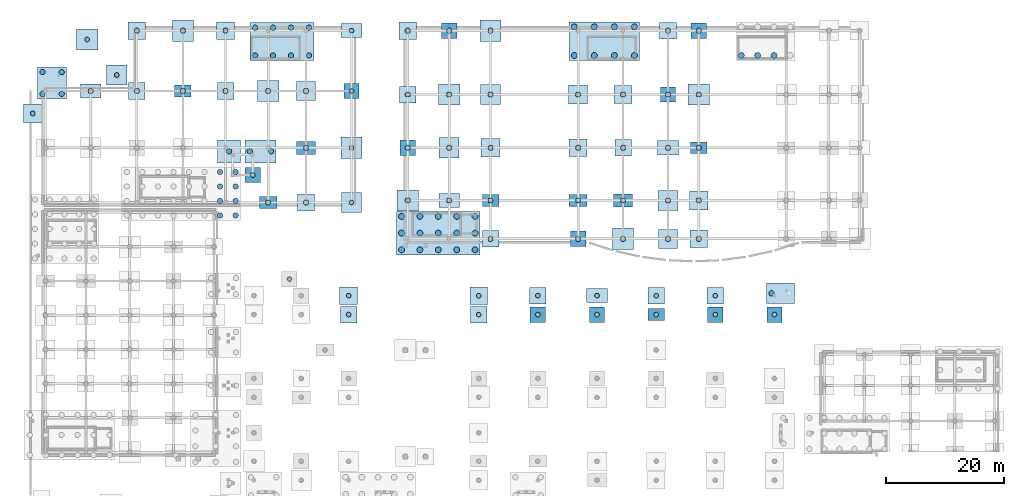
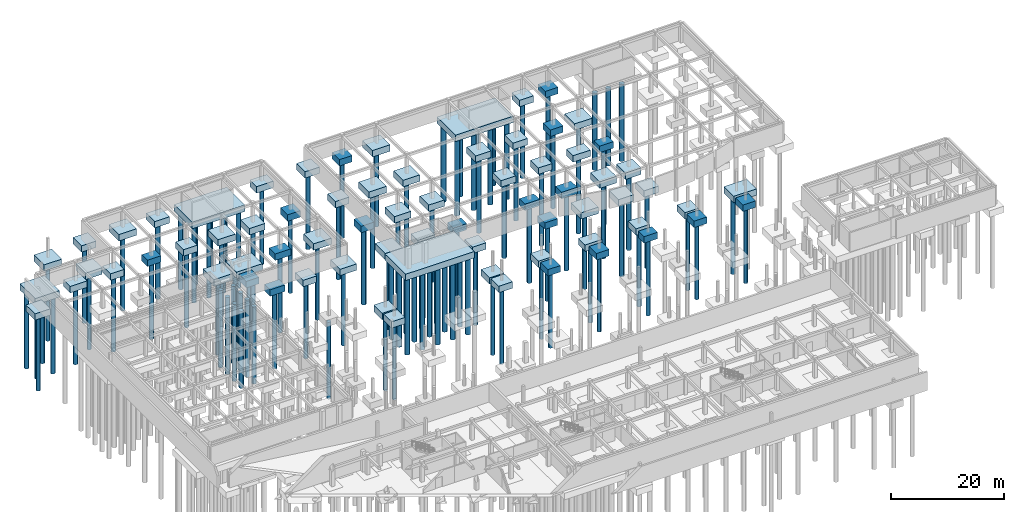
# One storey, part 4 of 22: 115 piles, 71 footings.
"""IFC4 building model written with IfcOpenShell, lengths in metres."""

import ifcopenshell
import ifcopenshell.guid

model = None  # the IFC model being written
_history = None  # IfcOwnerHistory: only IFC2X3 demands one
_inside = {}  # id of a spatial element -> (the spatial element, [elements in it])
_under = {}  # id of a project, library or spatial element -> (it, [spatial elements below it])
_declared = {}  # id of a project -> (the project, [libraries it declares])
_typed = {}  # id of a type object -> (the type object, [elements of that type])
_made_of = {}  # id of a material, layer set ... -> (it, [elements and type objects made of it])


def new_model(schema):
    """Start an empty IFC model of exactly this schema.

    Asked for "IFC4X3", IfcOpenShell would pick the latest addendum, in which some entities
    have other attributes; the version numbers below select the first issue.
    IFC2X3 requires an IfcOwnerHistory on every rooted entity: one is made here for all.
    """
    global model, _history
    if schema == "IFC4X3":
        model = ifcopenshell.file(schema_version=(4, 3, 0, 0))
    else:
        model = ifcopenshell.file(schema=schema)
    _inside.clear()
    _under.clear()
    _declared.clear()
    _typed.clear()
    _made_of.clear()
    _history = None
    if model.schema == "IFC2X3":
        org = make("IfcOrganization", Name="unknown")
        user = make(
            "IfcPersonAndOrganization",
            ThePerson=make("IfcPerson", FamilyName="unknown"),
            TheOrganization=org,
        )
        app = make(
            "IfcApplication",
            ApplicationDeveloper=org,
            Version="unknown",
            ApplicationFullName="unknown",
            ApplicationIdentifier="unknown",
        )
        _history = make(
            "IfcOwnerHistory",
            OwningUser=user,
            OwningApplication=app,
            ChangeAction="ADDED",
            CreationDate=0,
        )
    return model


def make(cls, **values):
    """One entity of the class cls with the attributes given. An attribute that is None is left unset."""
    return model.create_entity(
        cls, **{name: value for name, value in values.items() if value is not None}
    )


def rooted(cls, **values):
    """An entity with a GlobalId (a new one), such as an element, a storey or a relation."""
    return make(cls, GlobalId=ifcopenshell.guid.new(), OwnerHistory=_history, **values)


def si_unit(unit_type, name, prefix=None):
    """IfcSIUnit, for example si_unit("LENGTHUNIT", "METRE", prefix="MILLI")."""
    return make("IfcSIUnit", UnitType=unit_type, Prefix=prefix, Name=name)


def assignment(units):
    """IfcUnitAssignment: the units of a project."""
    return None if units is None else make("IfcUnitAssignment", Units=units)


def point(xyz):
    """IfcCartesianPoint."""
    return None if xyz is None else make("IfcCartesianPoint", Coordinates=xyz)


def direction(xyz):
    """IfcDirection."""
    return None if xyz is None else make("IfcDirection", DirectionRatios=xyz)


def frame(location, z_axis=None, x_axis=None):
    """IfcAxis2Placement3D, a coordinate frame: its origin and axes. An axis left out is left unset."""
    return make(
        "IfcAxis2Placement3D",
        Location=point(location),
        Axis=direction(z_axis),
        RefDirection=direction(x_axis),
    )


def frame_2d(location, x_axis=None):
    """IfcAxis2Placement2D, a coordinate frame in the plane: its origin and x axis."""
    return make(
        "IfcAxis2Placement2D", Location=point(location), RefDirection=direction(x_axis)
    )


def origin():
    """The frame at (0, 0, 0) with its axes left unset."""
    return frame((0.0, 0.0, 0.0))


def origin_2d():
    """The frame at (0, 0) in the plane with its x axis left unset."""
    return frame_2d((0.0, 0.0))


def place(relative_to, where):
    """IfcLocalPlacement: puts the frame where relative to a parent placement (None: the world)."""
    return make(
        "IfcLocalPlacement", PlacementRelTo=relative_to, RelativePlacement=where
    )


def context(
    kind, dimensions, precision=None, world=None, true_north=None, identifier=None
):
    """IfcGeometricRepresentationContext, for example the 3D "Model" context."""
    return make(
        "IfcGeometricRepresentationContext",
        ContextIdentifier=identifier,
        ContextType=kind,
        CoordinateSpaceDimension=dimensions,
        Precision=precision,
        WorldCoordinateSystem=world,
        TrueNorth=true_north,
    )


def subcontext(parent, identifier, kind, view, scale=None):
    """IfcGeometricRepresentationSubContext, for example "Body" below "Model"."""
    return make(
        "IfcGeometricRepresentationSubContext",
        ContextIdentifier=identifier,
        ContextType=kind,
        ParentContext=parent,
        TargetScale=scale,
        TargetView=view,
    )


def project(units=None, contexts=None):
    """IfcProject with its units and contexts."""
    return rooted(
        "IfcProject",
        Name="project",
        RepresentationContexts=contexts,
        UnitsInContext=assignment(units),
    )


def spatial(cls, under=None, at=None, **own):
    """A site, building, storey or space (cls), placed at a placement, below another one or the project."""
    s = rooted(cls, ObjectPlacement=at, **own)
    if under is not None:
        _under.setdefault(under.id(), (under, []))[1].append(s)
    return s


def polyline(points):
    """IfcPolyline through the points."""
    return make("IfcPolyline", Points=[point(p) for p in points])


def profile(cls, at=None, kind="AREA", **sizes):
    """A parametric profile (cls). Its sizes go by their IFC names, for example OverallWidth=200.0."""
    return make(cls, ProfileType=kind, Position=at, **sizes)


def rectangle(**sizes):
    """IfcRectangleProfileDef."""
    return profile("IfcRectangleProfileDef", **sizes)


def circle(**sizes):
    """IfcCircleProfileDef."""
    return profile("IfcCircleProfileDef", **sizes)


def outline(outer, holes=None, kind="AREA"):
    """IfcArbitraryClosedProfileDef: a profile drawn as a closed curve; with holes, ...WithVoids."""
    if holes is None:
        return make("IfcArbitraryClosedProfileDef", ProfileType=kind, OuterCurve=outer)
    return make(
        "IfcArbitraryProfileDefWithVoids",
        ProfileType=kind,
        OuterCurve=outer,
        InnerCurves=holes,
    )


def extrude(swept, where, along, depth):
    """IfcExtrudedAreaSolid: the profile swept, set in the frame where, extruded along a direction by depth."""
    return make(
        "IfcExtrudedAreaSolid",
        SweptArea=swept,
        Position=where,
        ExtrudedDirection=direction(along),
        Depth=depth,
    )


def shape(context_of_items, identifier, shape_type, items):
    """IfcShapeRepresentation: the items that make up one representation, for example the "Body"."""
    return make(
        "IfcShapeRepresentation",
        ContextOfItems=context_of_items,
        RepresentationIdentifier=identifier,
        RepresentationType=shape_type,
        Items=items,
    )


def material(Name=None, Category=None):
    """IfcMaterial."""
    return make("IfcMaterial", Name=Name, Category=Category)


def material_profile(
    of_material, cross_section, Name=None, Category=None, Priority=None
):
    """IfcMaterialProfile: a cross section and its material."""
    return make(
        "IfcMaterialProfile",
        Name=Name,
        Material=of_material,
        Profile=cross_section,
        Priority=Priority,
        Category=Category,
    )


def profile_set(profiles, Name=None, composite=None):
    """IfcMaterialProfileSet."""
    return make(
        "IfcMaterialProfileSet",
        Name=Name,
        MaterialProfiles=profiles,
        CompositeProfile=composite,
    )


def made_of(thing, what):
    """Note that an element or type object is made of a material, layer set ...; save() writes the relation."""
    if what is not None:
        _made_of.setdefault(what.id(), (what, []))[1].append(thing)
    return thing


def type_object(cls, material=None, **own):
    """A type object (cls), such as IfcWallType, which elements share."""
    return made_of(rooted(cls, **own), material)


def element(
    cls,
    number,
    at=None,
    inside=None,
    cuts=None,
    type_object=None,
    material=None,
    context=None,
    identifier="Body",
    shape_type=None,
    held_by="IfcProductDefinitionShape",
    body=None,
    shapes=None,
    **own,
):
    """One element of the class cls, such as IfcWall. Its Tag is "e" and its number.

    at: its placement. inside: the storey or other place that contains it. cuts: it is an
    opening in that element (IfcRelVoidsElement). A single representation is given by context,
    identifier, shape_type and body (its items); several are given by shapes. held_by: the class
    of the entity that holds the representations. save() writes the other relations.
    """
    e = rooted(cls, Tag="e%d" % number, ObjectPlacement=at, **own)
    if body is not None:
        shapes = [shape(context, identifier, shape_type, body)]
    if shapes is not None:
        e.Representation = make(held_by, Representations=shapes)
    if inside is not None:
        _inside.setdefault(inside.id(), (inside, []))[1].append(e)
    if cuts is not None:
        rooted(
            "IfcRelVoidsElement", RelatingBuildingElement=cuts, RelatedOpeningElement=e
        )
    if type_object is not None:
        _typed.setdefault(type_object.id(), (type_object, []))[1].append(e)
    return made_of(e, material)


def aggregate(whole, parts):
    """IfcRelAggregates: a whole, such as a stair, and the parts it consists of."""
    return rooted("IfcRelAggregates", RelatingObject=whole, RelatedObjects=parts)


def save(model, path):
    """Write the relations noted so far, then the file.

    IfcRelAggregates (storeys below a building ...), IfcRelContainedInSpatialStructure (elements
    in a storey), IfcRelDefinesByType, IfcRelAssociatesMaterial and IfcRelDeclares: one each for
    every whole, place, type object, material and project.
    """
    for whole, parts in _under.values():
        aggregate(whole, parts)
    for where, things in _inside.values():
        rooted(
            "IfcRelContainedInSpatialStructure",
            RelatedElements=things,
            RelatingStructure=where,
        )
    for kind, things in _typed.values():
        rooted("IfcRelDefinesByType", RelatedObjects=things, RelatingType=kind)
    for what, things in _made_of.values():
        rooted("IfcRelAssociatesMaterial", RelatedObjects=things, RelatingMaterial=what)
    for by, libraries in _declared.values():
        rooted("IfcRelDeclares", RelatingContext=by, RelatedDefinitions=libraries)
    model.write(path)


model = new_model("IFC4")

# Units and contexts
model_context = context("Model", 3, precision=1e-05, world=origin(), true_north=direction((0.0, 1.0)))
body_context = subcontext(model_context, "Body", "Model", "MODEL_VIEW")
ifc_project = project(units=[si_unit("LENGTHUNIT", "METRE"), si_unit("AREAUNIT", "SQUARE_METRE"), si_unit("VOLUMEUNIT", "CUBIC_METRE"), si_unit("PLANEANGLEUNIT", "RADIAN"), si_unit("MASSUNIT", "GRAM", prefix="KILO")], contexts=[model_context])

# Site, building, storey
site_placement = place(None, origin())
site = spatial("IfcSite", under=ifc_project, at=site_placement, CompositionType="ELEMENT")
building_placement = place(site_placement, origin())
building = spatial("IfcBuilding", under=site, at=building_placement, Name="Valcora Specialist Clinic", CompositionType="ELEMENT")
storey_placement = place(building_placement, frame((0.0, 0.0, -4.419921875)))
storey = spatial("IfcBuildingStorey", under=building, at=storey_placement, Name="B1", CompositionType="ELEMENT", Elevation=-4.419921875)

# Footings
ifc_material = material(Name="Concrete C35/45", Category="concrete")
footing_type_1 = type_object("IfcFootingType", Name="TY-FT-PC2600", PredefinedType="PILE_CAP", material=ifc_material)
for number, where, z_axis, x_axis, name in (
    (1, (52.5, 99.800048828125, -1.400146484375), (0.0, 0.0, 1.0), (1.0, 0.0, 0.0), "Pile cap FT-PC-054"),
    (2, (62.0, 90.199951171875, -1.400146484375), (0.0, 0.0, 1.0), (1.0, 0.0, 0.0), "Pile cap FT-PC-072"),
    (3, (69.0, 110.0, -1.400146484375), (0.0, 0.0, 1.0), (1.0, 0.0, 0.0), "Pile cap FT-PC-078"),
    (4, (90.800048828125, 74.800048828125, -1.400146484375), (0.0, 0.0, 1.0), (1.0, 0.0, 0.0), "Pile cap FT-PC-084"),
    (5, (106.0, 99.199951171875, -1.400146484375), (0.0, 0.0, 1.0), (1.0, 0.0, 0.0), "Pile cap FT-PC-096"),
    (6, (111.199951171875, 110.0, -1.400146484375), (0.0, 0.0, 1.0), (1.0, 0.0, 0.0), "Pile cap FT-PC-102"),
    (7, (35.800048828125, 85.60009765625, -1.400146484375), (0.0, 0.0, 1.0), (1.0, 0.0, 0.0), "Pile cap FT-PC-186"),
    (8, (84.0, 62.0, -1.400146484375), (0.0, 0.0, 1.0), (1.0, 0.0, 0.0), "Pile cap FT-PC-228"),
    (9, (94.0, 62.0, -1.400146484375), (0.0, 0.0, 1.0), (1.0, 0.0, 0.0), "Pile cap FT-PC-234"),
    (10, (114.0, 62.0, -1.400146484375), (0.0, 0.0, 1.0), (1.0, 0.0, 0.0), "Pile cap FT-PC-246"),
    (11, (124.0, 62.0, -1.400146484375), (0.0, 0.0, 1.0), (1.0, 0.0, 0.0), "Pile cap FT-PC-252"),
):
    element("IfcFooting", number, at=place(storey_placement, frame(where, z_axis=z_axis, x_axis=x_axis)), inside=storey, type_object=footing_type_1, Name=name, PredefinedType="PILE_CAP", context=body_context, shape_type="SweptSolid", body=[
        extrude(rectangle(XDim=2.60009765625, YDim=2.60009765625, at=origin_2d()), origin(), (0.0, 0.0, 1.0), 1.39990234375),
    ])
footing_type_2 = type_object("IfcFootingType", Name="TY-FT-PC2800", PredefinedType="PILE_CAP", material=ifc_material)
for number, where, z_axis, x_axis, name in (
    (12, (16.199951171875, 99.800048828125, -1.400146484375), (0.0, 0.0, 1.0), (1.0, 0.0, 0.0), "Pile cap FT-PC-037"),
    (13, (31.199951171875, 99.800048828125, -1.400146484375), (0.0, 0.0, 1.0), (1.0, 0.0, 0.0), "Pile cap FT-PC-043"),
    (14, (44.800048828125, 80.949951171875, -1.400146484375), (0.0, 0.0, 1.0), (1.0, 0.0, 0.0), "Pile cap FT-PC-049"),
    (15, (62.0, 99.199951171875, -1.400146484375), (0.0, 0.0, 1.0), (1.0, 0.0, 0.0), "Pile cap FT-PC-073"),
    (16, (76.0, 74.800048828125, -1.400146484375), (0.0, 0.0, 1.0), (1.0, 0.0, 0.0), "Pile cap FT-PC-079"),
    (17, (98.39990234375, 90.199951171875, -1.400146484375), (0.0, 0.0, 1.0), (1.0, 0.0, 0.0), "Pile cap FT-PC-091"),
    (18, (106.0, 110.0, -1.400146484375), (0.0, 0.0, 1.0), (1.0, 0.0, 0.0), "Pile cap FT-PC-097"),
    (19, (52.0, 62.0, -1.400146484375), (0.0, 0.0, 1.0), (1.0, 0.0, 0.0), "Pile cap FT-PC-217"),
    (20, (74.0, 62.0, -1.400146484375), (0.0, 0.0, 1.0), (1.0, 0.0, 0.0), "Pile cap FT-PC-223"),
    (21, (84.0, 65.199951171875, -1.400146484375), (0.0, 0.0, 1.0), (1.0, 0.0, 0.0), "Pile cap FT-PC-229"),
    (22, (104.0, 65.199951171875, -1.400146484375), (0.0, 0.0, 1.0), (1.0, 0.0, 0.0), "Pile cap FT-PC-241"),
    (23, (114.0, 65.199951171875, -1.400146484375), (0.0, 0.0, 1.0), (1.0, 0.0, 0.0), "Pile cap FT-PC-247"),
):
    element("IfcFooting", number, at=place(storey_placement, frame(where, z_axis=z_axis, x_axis=x_axis)), inside=storey, type_object=footing_type_2, Name=name, PredefinedType="PILE_CAP", context=body_context, shape_type="SweptSolid", body=[
        extrude(rectangle(XDim=2.800048828125, YDim=2.800048828125, at=origin_2d()), origin(), (0.0, 0.0, 1.0), 1.39990234375),
    ])
footing_type_3 = type_object("IfcFootingType", Name="TY-FT-PC2800X2000", PredefinedType="PILE_CAP", material=ifc_material)
for number, where, z_axis, x_axis, name in (
    (24, (24.0, 99.800048828125, -1.400146484375), (0.0, 0.0, 1.0), (1.0, 0.0, 0.0), "Pile cap FT-PC-040"),
    (25, (76.0, 81.300048828125, -1.400146484375), (0.0, 0.0, 1.0), (1.0, 0.0, 0.0), "Pile cap FT-PC-080"),
    (26, (111.199951171875, 90.199951171875, -1.400146484375), (0.0, 0.0, 1.0), (1.0, 0.0, 0.0), "Pile cap FT-PC-100"),
    (27, (104.0, 62.0, -1.400146484375), (0.0, 0.0, 1.0), (1.0, 0.0, 0.0), "Pile cap FT-PC-240"),
):
    element("IfcFooting", number, at=place(storey_placement, frame(where, z_axis=z_axis, x_axis=x_axis)), inside=storey, type_object=footing_type_3, Name=name, PredefinedType="PILE_CAP", context=body_context, shape_type="SweptSolid", body=[
        extrude(rectangle(XDim=2.800048828125, YDim=2.0, at=origin_2d()), origin(), (0.0, 0.0, 1.0), 1.39990234375),
    ])
footing_type_4 = type_object("IfcFootingType", Name="TY-FT-PC3000", PredefinedType="PILE_CAP", material=ifc_material)
for number, where, z_axis, x_axis, name in (
    (28, (16.199951171875, 110.0, -1.400146484375), (0.0, 0.0, 1.0), (1.0, 0.0, 0.0), "Pile cap FT-PC-038"),
    (29, (31.199951171875, 110.0, -1.400146484375), (0.0, 0.0, 1.0), (1.0, 0.0, 0.0), "Pile cap FT-PC-044"),
    (30, (62.0, 110.0, -1.400146484375), (0.0, 0.0, 1.0), (1.0, 0.0, 0.0), "Pile cap FT-PC-074"),
    (31, (90.800048828125, 90.199951171875, -1.400146484375), (0.0, 0.0, 1.0), (1.0, 0.0, 0.0), "Pile cap FT-PC-086"),
    (32, (98.39990234375, 99.199951171875, -1.400146484375), (0.0, 0.0, 1.0), (1.0, 0.0, 0.0), "Pile cap FT-PC-092"),
    (33, (111.199951171875, 74.800048828125, -1.400146484375), (0.0, 0.0, 1.0), (1.0, 0.0, 0.0), "Pile cap FT-PC-098"),
    (34, (52.0, 65.199951171875, -1.400146484375), (0.0, 0.0, 1.0), (1.0, 0.0, 0.0), "Pile cap FT-PC-218"),
    (35, (74.0, 65.199951171875, -1.400146484375), (0.0, 0.0, 1.0), (1.0, 0.0, 0.0), "Pile cap FT-PC-224"),
):
    element("IfcFooting", number, at=place(storey_placement, frame(where, z_axis=z_axis, x_axis=x_axis)), inside=storey, type_object=footing_type_4, Name=name, PredefinedType="PILE_CAP", context=body_context, shape_type="SweptSolid", body=[
        extrude(rectangle(XDim=3.0, YDim=3.0, at=origin_2d()), origin(), (0.0, 0.0, 1.0), 1.39990234375),
    ])
footing_type_5 = type_object("IfcFootingType", Name="TY-FT-PC3000X2000", PredefinedType="PILE_CAP", material=ifc_material)
for number, where, z_axis, x_axis, name in (
    (36, (38.39990234375, 80.949951171875, -1.400146484375), (0.0, 0.0, 1.0), (1.0, 0.0, 0.0), "Pile cap FT-PC-045"),
    (37, (90.800048828125, 81.300048828125, -1.400146484375), (0.0, 0.0, 1.0), (1.0, 0.0, 0.0), "Pile cap FT-PC-085"),
):
    element("IfcFooting", number, at=place(storey_placement, frame(where, z_axis=z_axis, x_axis=x_axis)), inside=storey, type_object=footing_type_5, Name=name, PredefinedType="PILE_CAP", context=body_context, shape_type="SweptSolid", body=[
        extrude(rectangle(XDim=3.0, YDim=2.0, at=origin_2d()), origin(), (0.0, 0.0, 1.0), 1.39990234375),
    ])
footing_type_6 = type_object("IfcFootingType", Name="TY-FT-PC3200", PredefinedType="PILE_CAP", material=ifc_material)
for number, where, z_axis, x_axis, name in (
    (38, (44.800048828125, 99.800048828125, -1.400146484375), (0.0, 0.0, 1.0), (1.0, 0.0, 0.0), "Pile cap FT-PC-051"),
    (39, (76.0, 90.199951171875, -1.400146484375), (0.0, 0.0, 1.0), (1.0, 0.0, 0.0), "Pile cap FT-PC-081"),
    (40, (90.800048828125, 99.199951171875, -1.400146484375), (0.0, 0.0, 1.0), (1.0, 0.0, 0.0), "Pile cap FT-PC-087"),
    (41, (106.0, 74.800048828125, -1.400146484375), (0.0, 0.0, 1.0), (1.0, 0.0, 0.0), "Pile cap FT-PC-093"),
    (42, (111.199951171875, 81.300048828125, -1.400146484375), (0.0, 0.0, 1.0), (1.0, 0.0, 0.0), "Pile cap FT-PC-099"),
    (43, (-1.39990234375, 96.0, -1.400146484375), (0.0, 0.0, 1.0), (1.0, 0.0, 0.0), "Pile cap FT-PC-261"),
):
    element("IfcFooting", number, at=place(storey_placement, frame(where, z_axis=z_axis, x_axis=x_axis)), inside=storey, type_object=footing_type_6, Name=name, PredefinedType="PILE_CAP", context=body_context, shape_type="SweptSolid", body=[
        extrude(rectangle(XDim=3.199951171875, YDim=3.199951171875, at=origin_2d()), origin(), (0.0, 0.0, 1.0), 1.39990234375),
    ])
footing_type_7 = type_object("IfcFootingType", Name="TY-FT-PC3200X2200", PredefinedType="PILE_CAP", material=ifc_material)
for number, where, z_axis, x_axis, name in (
    (44, (44.800048828125, 90.199951171875, -1.400146484375), (0.0, 0.0, 1.0), (1.0, 0.0, 0.0), "Pile cap FT-PC-050"),
    (45, (98.39990234375, 81.300048828125, -1.400146484375), (0.0, 0.0, 1.0), (1.0, 0.0, 0.0), "Pile cap FT-PC-090"),
):
    element("IfcFooting", number, at=place(storey_placement, frame(where, z_axis=z_axis, x_axis=x_axis)), inside=storey, type_object=footing_type_7, Name=name, PredefinedType="PILE_CAP", context=body_context, shape_type="SweptSolid", body=[
        extrude(rectangle(XDim=3.199951171875, YDim=2.199951171875, at=origin_2d()), origin(), (0.0, 0.0, 1.0), 1.39990234375),
    ])
footing_type_8 = type_object("IfcFootingType", Name="TY-FT-PC3400", PredefinedType="PILE_CAP", material=ifc_material)
for number, where, z_axis, x_axis, name in (
    (46, (52.5, 80.949951171875, -1.400146484375), (0.0, 0.0, 1.0), (1.0, 0.0, 0.0), "Pile cap FT-PC-052"),
    (47, (69.0, 90.199951171875, -1.400146484375), (0.0, 0.0, 1.0), (1.0, 0.0, 0.0), "Pile cap FT-PC-076"),
    (48, (76.0, 99.199951171875, -1.400146484375), (0.0, 0.0, 1.0), (1.0, 0.0, 0.0), "Pile cap FT-PC-082"),
    (49, (106.0, 81.300048828125, -1.400146484375), (0.0, 0.0, 1.0), (1.0, 0.0, 0.0), "Pile cap FT-PC-094"),
    (50, (12.800048828125, 102.5, -1.400146484375), (0.0, 0.0, 1.0), (1.0, 0.0, 0.0), "Pile cap FT-PC-262"),
):
    element("IfcFooting", number, at=place(storey_placement, frame(where, z_axis=z_axis, x_axis=x_axis)), inside=storey, type_object=footing_type_8, Name=name, PredefinedType="PILE_CAP", context=body_context, shape_type="SweptSolid", body=[
        extrude(rectangle(XDim=3.39990234375, YDim=3.39990234375, at=origin_2d()), origin(), (0.0, 0.0, 1.0), 1.39990234375),
    ])
footing_type_9 = type_object("IfcFootingType", Name="TY-FT-PC3500X2400", PredefinedType="PILE_CAP", material=ifc_material)
for number, where, z_axis, x_axis, name in (
    (51, (8.39990234375, 99.800048828125, -1.400146484375), (0.0, 0.0, 1.0), (1.0, 0.0, 0.0), "Pile cap FT-PC-035"),
    (52, (52.5, 110.0, -1.400146484375), (0.0, 0.0, 1.0), (1.0, 0.0, 0.0), "Pile cap FT-PC-055"),
    (53, (69.0, 81.300048828125, -1.400146484375), (0.0, 0.0, 1.0), (1.0, 0.0, 0.0), "Pile cap FT-PC-075"),
    (54, (106.0, 90.199951171875, -1.400146484375), (0.0, 0.0, 1.0), (1.0, 0.0, 0.0), "Pile cap FT-PC-095"),
    (55, (94.0, 65.199951171875, -1.400146484375), (0.0, 0.0, 1.0), (1.0, 0.0, 0.0), "Pile cap FT-PC-235"),
):
    element("IfcFooting", number, at=place(storey_placement, frame(where, z_axis=z_axis, x_axis=x_axis)), inside=storey, type_object=footing_type_9, Name=name, PredefinedType="PILE_CAP", context=body_context, shape_type="SweptSolid", body=[
        extrude(rectangle(XDim=3.5, YDim=2.39990234375, at=origin_2d()), origin(), (0.0, 0.0, 1.0), 1.39990234375),
    ])
footing_type_10 = type_object("IfcFootingType", Name="TY-FT-PC3600", PredefinedType="PILE_CAP", material=ifc_material)
for number, where, z_axis, x_axis, name in (
    (56, (24.0, 110.0, -1.400146484375), (0.0, 0.0, 1.0), (1.0, 0.0, 0.0), "Pile cap FT-PC-041"),
    (57, (38.39990234375, 99.800048828125, -1.400146484375), (0.0, 0.0, 1.0), (1.0, 0.0, 0.0), "Pile cap FT-PC-047"),
    (58, (52.5, 90.199951171875, -1.400146484375), (0.0, 0.0, 1.0), (1.0, 0.0, 0.0), "Pile cap FT-PC-053"),
    (59, (62.0, 81.300048828125, -1.400146484375), (0.0, 0.0, 1.0), (1.0, 0.0, 0.0), "Pile cap FT-PC-071"),
    (60, (69.0, 99.199951171875, -1.400146484375), (0.0, 0.0, 1.0), (1.0, 0.0, 0.0), "Pile cap FT-PC-077"),
    (61, (76.0, 110.0, -1.400146484375), (0.0, 0.0, 1.0), (1.0, 0.0, 0.0), "Pile cap FT-PC-083"),
    (62, (98.39990234375, 74.800048828125, -1.400146484375), (0.0, 0.0, 1.0), (1.0, 0.0, 0.0), "Pile cap FT-PC-089"),
    (63, (111.199951171875, 99.199951171875, -1.400146484375), (0.0, 0.0, 1.0), (1.0, 0.0, 0.0), "Pile cap FT-PC-101"),
    (64, (7.800048828125, 108.5, -1.400146484375), (0.0, 0.0, 1.0), (1.0, 0.0, 0.0), "Pile cap FT-PC-263"),
):
    element("IfcFooting", number, at=place(storey_placement, frame(where, z_axis=z_axis, x_axis=x_axis)), inside=storey, type_object=footing_type_10, Name=name, PredefinedType="PILE_CAP", context=body_context, shape_type="SweptSolid", body=[
        extrude(rectangle(XDim=3.60009765625, YDim=3.60009765625, at=origin_2d()), origin(), (0.0, 0.0, 1.0), 1.39990234375),
    ])
footing_type_11 = type_object("IfcFootingType", Name="TY-FT-PC4200X2800", PredefinedType="PILE_CAP", material=ifc_material)
footing_1_placement = place(storey_placement, frame((0.0, 0.0, -1.400146484375)))
element("IfcFooting", 65, at=footing_1_placement, inside=storey, type_object=footing_type_11, Name="Combined pile cap FT-PC-033", PredefinedType="PILE_CAP", context=body_context, shape_type="SweptSolid", body=[
    extrude(outline(polyline([(-0.60009765625, 98.449951171875), (4.35009765625, 98.449951171875), (4.35009765625, 103.85009765625), (-0.60009765625, 103.85009765625), (-0.60009765625, 98.449951171875)])), origin(), (0.0, 0.0, 1.0), 1.400146484375),
])
footing_2_placement = place(storey_placement, frame((0.0, 0.0, -1.400146484375)))
element("IfcFooting", 66, at=footing_2_placement, inside=storey, type_object=footing_type_11, Name="Combined pile cap FT-PC-042", PredefinedType="PILE_CAP", context=body_context, shape_type="SweptSolid", body=[
    extrude(outline(polyline([(29.85009765625, 87.64990234375), (33.75, 87.64990234375), (33.75, 91.550048828125), (29.85009765625, 91.550048828125), (29.85009765625, 87.64990234375)])), origin(), (0.0, 0.0, 1.0), 1.400146484375),
])
footing_3_placement = place(storey_placement, frame((0.0, 0.0, -1.400146484375)))
element("IfcFooting", 67, at=footing_3_placement, inside=storey, type_object=footing_type_11, Name="Combined pile cap FT-PC-048", PredefinedType="PILE_CAP", context=body_context, shape_type="SweptSolid", body=[
    extrude(outline(polyline([(35.35009765625, 104.949951171875), (46.14990234375, 104.949951171875), (46.14990234375, 111.35009765625), (35.35009765625, 111.35009765625), (35.35009765625, 104.949951171875)])), origin(), (0.0, 0.0, 1.0), 1.400146484375),
])
footing_type_12 = type_object("IfcFootingType", Name="TY-FT-PC4500X3000", PredefinedType="PILE_CAP", material=ifc_material)
footing_4_placement = place(storey_placement, frame((0.0, 0.0, -1.400146484375)))
element("IfcFooting", 68, at=footing_4_placement, inside=storey, type_object=footing_type_12, Name="Combined pile cap FT-PC-046", PredefinedType="PILE_CAP", context=body_context, shape_type="SweptSolid", body=[
    extrude(outline(polyline([(34.449951171875, 87.64990234375), (39.75, 87.64990234375), (39.75, 91.550048828125), (34.449951171875, 91.550048828125), (34.449951171875, 87.64990234375)])), origin(), (0.0, 0.0, 1.0), 1.400146484375),
])
footing_5_placement = place(storey_placement, frame((0.0, 0.0, -1.400146484375)))
element("IfcFooting", 69, at=footing_5_placement, inside=storey, type_object=footing_type_12, Name="Combined pile cap FT-PC-070", PredefinedType="PILE_CAP", context=body_context, shape_type="SweptSolid", body=[
    extrude(outline(polyline([(60.10009765625, 72.10009765625), (74.22998046875, 72.10009765625), (74.22998046875, 79.449951171875), (60.10009765625, 79.449951171875), (60.10009765625, 72.10009765625)])), origin(), (0.0, 0.0, 1.0), 1.400146484375),
])
footing_6_placement = place(storey_placement, frame((0.0, 0.0, -1.400146484375)))
element("IfcFooting", 70, at=footing_6_placement, inside=storey, type_object=footing_type_12, Name="Combined pile cap FT-PC-088", PredefinedType="PILE_CAP", context=body_context, shape_type="SweptSolid", body=[
    extrude(outline(polyline([(89.300048828125, 104.949951171875), (101.169921875, 104.949951171875), (101.169921875, 111.5), (89.300048828125, 111.5), (89.300048828125, 104.949951171875)])), origin(), (0.0, 0.0, 1.0), 1.400146484375),
])
footing_7_placement = place(storey_placement, frame((0.0, 0.0, -1.400146484375)))
element("IfcFooting", 71, at=footing_7_placement, inside=storey, type_object=footing_type_12, Name="Combined pile cap FT-PC-253", PredefinedType="PILE_CAP", context=body_context, shape_type="SweptSolid", body=[
    extrude(outline(polyline([(122.64990234375, 63.85009765625), (127.35009765625, 63.85009765625), (127.35009765625, 67.35009765625), (122.64990234375, 67.35009765625), (122.64990234375, 63.85009765625)])), origin(), (0.0, 0.0, 1.0), 1.400146484375),
])

# Piles
ifc_material_profile_1 = material_profile(ifc_material, circle(Radius=0.5, at=origin_2d()), Name="RC-PIL-D1000")
ifc_profile_set_1 = profile_set([ifc_material_profile_1], Name="Concrete C35/45")
pile_type_1 = type_object("IfcPileType", Name="TY-PL-B1000", PredefinedType="BORED", material=ifc_profile_set_1)
for number, where, z_axis, x_axis, name in (
    (72, (60.949951171875, 72.949951171875, -1.300048828125), (0.0, 0.0, -1.0), (1.0, 0.0, 0.0), "Bored pile PL-FT-PC-070-01"),
    (73, (60.949951171875, 75.77490234375, -1.300048828125), (0.0, 0.0, -1.0), (1.0, 0.0, 0.0), "Bored pile PL-FT-PC-070-02"),
    (74, (60.949951171875, 78.60009765625, -1.300048828125), (0.0, 0.0, -1.0), (1.0, 0.0, 0.0), "Bored pile PL-FT-PC-070-03"),
    (75, (64.05810546875, 72.949951171875, -1.300048828125), (0.0, 0.0, -1.0), (1.0, 0.0, 0.0), "Bored pile PL-FT-PC-070-04"),
    (76, (64.05810546875, 75.77490234375, -1.300048828125), (0.0, 0.0, -1.0), (1.0, 0.0, 0.0), "Bored pile PL-FT-PC-070-05"),
    (77, (64.05810546875, 78.60009765625, -1.300048828125), (0.0, 0.0, -1.0), (1.0, 0.0, 0.0), "Bored pile PL-FT-PC-070-06"),
    (78, (67.1650390625, 72.949951171875, -1.300048828125), (0.0, 0.0, -1.0), (1.0, 0.0, 0.0), "Bored pile PL-FT-PC-070-07"),
    (79, (67.1650390625, 75.77490234375, -1.300048828125), (0.0, 0.0, -1.0), (1.0, 0.0, 0.0), "Bored pile PL-FT-PC-070-08"),
    (80, (67.1650390625, 78.60009765625, -1.300048828125), (0.0, 0.0, -1.0), (1.0, 0.0, 0.0), "Bored pile PL-FT-PC-070-09"),
    (81, (70.27294921875, 72.949951171875, -1.300048828125), (0.0, 0.0, -1.0), (1.0, 0.0, 0.0), "Bored pile PL-FT-PC-070-10"),
    (82, (70.27294921875, 75.77490234375, -1.300048828125), (0.0, 0.0, -1.0), (1.0, 0.0, 0.0), "Bored pile PL-FT-PC-070-11"),
    (83, (70.27294921875, 78.60009765625, -1.300048828125), (0.0, 0.0, -1.0), (1.0, 0.0, 0.0), "Bored pile PL-FT-PC-070-12"),
    (84, (73.3798828125, 72.949951171875, -1.300048828125), (0.0, 0.0, -1.0), (1.0, 0.0, 0.0), "Bored pile PL-FT-PC-070-13"),
    (85, (73.3798828125, 75.77490234375, -1.300048828125), (0.0, 0.0, -1.0), (1.0, 0.0, 0.0), "Bored pile PL-FT-PC-070-14"),
    (86, (73.3798828125, 78.60009765625, -1.300048828125), (0.0, 0.0, -1.0), (1.0, 0.0, 0.0), "Bored pile PL-FT-PC-070-15"),
    (87, (90.14990234375, 105.800048828125, -1.300048828125), (0.0, 0.0, -1.0), (1.0, 0.0, 0.0), "Bored pile PL-FT-PC-088-01"),
    (88, (90.14990234375, 110.64990234375, -1.300048828125), (0.0, 0.0, -1.0), (1.0, 0.0, 0.0), "Bored pile PL-FT-PC-088-02"),
    (89, (93.5400390625, 105.800048828125, -1.300048828125), (0.0, 0.0, -1.0), (1.0, 0.0, 0.0), "Bored pile PL-FT-PC-088-03"),
    (90, (93.5400390625, 110.64990234375, -1.300048828125), (0.0, 0.0, -1.0), (1.0, 0.0, 0.0), "Bored pile PL-FT-PC-088-04"),
    (91, (96.929931640625, 105.800048828125, -1.300048828125), (0.0, 0.0, -1.0), (1.0, 0.0, 0.0), "Bored pile PL-FT-PC-088-05"),
    (92, (96.929931640625, 110.64990234375, -1.300048828125), (0.0, 0.0, -1.0), (1.0, 0.0, 0.0), "Bored pile PL-FT-PC-088-06"),
    (93, (100.320068359375, 105.800048828125, -1.300048828125), (0.0, 0.0, -1.0), (1.0, 0.0, 0.0), "Bored pile PL-FT-PC-088-07"),
    (94, (100.320068359375, 110.64990234375, -1.300048828125), (0.0, 0.0, -1.0), (1.0, 0.0, 0.0), "Bored pile PL-FT-PC-088-08"),
    (95, (118.39990234375, 105.800048828125, -1.300048828125), (0.0, 0.0, -1.0), (1.0, 0.0, 0.0), "Bored pile PL-FT-PC-107-01"),
    (96, (121.14990234375, 105.800048828125, -1.300048828125), (0.0, 0.0, -1.0), (1.0, 0.0, 0.0), "Bored pile PL-FT-PC-107-03"),
    (97, (123.89990234375, 105.800048828125, -1.300048828125), (0.0, 0.0, -1.0), (1.0, 0.0, 0.0), "Bored pile PL-FT-PC-107-05"),
):
    element("IfcPile", number, at=place(storey_placement, frame(where, z_axis=z_axis, x_axis=x_axis)), inside=storey, type_object=pile_type_1, Name=name, PredefinedType="BORED", context=body_context, shape_type="SweptSolid", body=[
        extrude(circle(Radius=0.5, at=origin_2d()), origin(), (0.0, 0.0, 1.0), 16.699951171875),
    ])
ifc_material_profile_2 = material_profile(ifc_material, circle(Radius=0.39990234375, at=origin_2d()), Name="RC-PIL-D800")
ifc_profile_set_2 = profile_set([ifc_material_profile_2], Name="Concrete C35/45")
pile_type_2 = type_object("IfcPileType", Name="TY-PL-B800", PredefinedType="BORED", material=ifc_profile_set_2)
for number, where, z_axis, x_axis, name in (
    (98, (52.5, 80.949951171875, -1.300048828125), (0.0, 0.0, -1.0), (1.0, 0.0, 0.0), "Bored pile PL-FT-PC-052-01"),
    (99, (52.5, 90.199951171875, -1.300048828125), (0.0, 0.0, -1.0), (1.0, 0.0, 0.0), "Bored pile PL-FT-PC-053-01"),
    (100, (52.5, 99.800048828125, -1.300048828125), (0.0, 0.0, -1.0), (1.0, 0.0, 0.0), "Bored pile PL-FT-PC-054-01"),
    (101, (52.5, 110.0, -1.300048828125), (0.0, 0.0, -1.0), (1.0, 0.0, 0.0), "Bored pile PL-FT-PC-055-01"),
    (102, (35.800048828125, 85.60009765625, -1.300048828125), (0.0, 0.0, -1.0), (1.0, 0.0, 0.0), "Bored pile PL-FT-PC-186-01"),
    (103, (52.0, 62.0, -1.300048828125), (0.0, 0.0, -1.0), (1.0, 0.0, 0.0), "Bored pile PL-FT-PC-217-01"),
    (104, (52.0, 65.199951171875, -1.300048828125), (0.0, 0.0, -1.0), (1.0, 0.0, 0.0), "Bored pile PL-FT-PC-218-01"),
    (105, (74.0, 62.0, -1.300048828125), (0.0, 0.0, -1.0), (1.0, 0.0, 0.0), "Bored pile PL-FT-PC-223-01"),
    (106, (74.0, 65.199951171875, -1.300048828125), (0.0, 0.0, -1.0), (1.0, 0.0, 0.0), "Bored pile PL-FT-PC-224-01"),
    (107, (84.0, 62.0, -1.300048828125), (0.0, 0.0, -1.0), (1.0, 0.0, 0.0), "Bored pile PL-FT-PC-228-01"),
    (108, (84.0, 65.199951171875, -1.300048828125), (0.0, 0.0, -1.0), (1.0, 0.0, 0.0), "Bored pile PL-FT-PC-229-01"),
    (109, (94.0, 62.0, -1.300048828125), (0.0, 0.0, -1.0), (1.0, 0.0, 0.0), "Bored pile PL-FT-PC-234-01"),
    (110, (94.0, 65.199951171875, -1.300048828125), (0.0, 0.0, -1.0), (1.0, 0.0, 0.0), "Bored pile PL-FT-PC-235-01"),
    (111, (104.0, 62.0, -1.300048828125), (0.0, 0.0, -1.0), (1.0, 0.0, 0.0), "Bored pile PL-FT-PC-240-01"),
    (112, (104.0, 65.199951171875, -1.300048828125), (0.0, 0.0, -1.0), (1.0, 0.0, 0.0), "Bored pile PL-FT-PC-241-01"),
    (113, (114.0, 62.0, -1.300048828125), (0.0, 0.0, -1.0), (1.0, 0.0, 0.0), "Bored pile PL-FT-PC-246-01"),
    (114, (114.0, 65.199951171875, -1.300048828125), (0.0, 0.0, -1.0), (1.0, 0.0, 0.0), "Bored pile PL-FT-PC-247-01"),
    (115, (124.0, 62.0, -1.300048828125), (0.0, 0.0, -1.0), (1.0, 0.0, 0.0), "Bored pile PL-FT-PC-252-01"),
    (116, (-1.39990234375, 96.0, -1.300048828125), (0.0, 0.0, -1.0), (1.0, 0.0, 0.0), "Bored pile PL-FT-PC-261-01"),
    (117, (12.800048828125, 102.5, -1.300048828125), (0.0, 0.0, -1.0), (1.0, 0.0, 0.0), "Bored pile PL-FT-PC-262-01"),
    (118, (7.800048828125, 108.5, -1.300048828125), (0.0, 0.0, -1.0), (1.0, 0.0, 0.0), "Bored pile PL-FT-PC-263-01"),
    (119, (42.0, 68.0, -1.300048828125), (0.0, 0.0, -1.0), (1.0, 0.0, 0.0), "Bored pile PL-FT-PC-266-01"),
):
    element("IfcPile", number, at=place(storey_placement, frame(where, z_axis=z_axis, x_axis=x_axis)), inside=storey, type_object=pile_type_2, Name=name, PredefinedType="BORED", context=body_context, shape_type="SweptSolid", body=[
        extrude(circle(Radius=0.39990234375, at=origin_2d()), origin(), (0.0, 0.0, 1.0), 16.699951171875),
    ])
ifc_material_profile_3 = material_profile(ifc_material, circle(Radius=0.449951171875, at=origin_2d()), Name="RC-PIL-D900")
ifc_profile_set_3 = profile_set([ifc_material_profile_3], Name="Concrete C35/45")
pile_type_3 = type_object("IfcPileType", Name="TY-PL-B900", PredefinedType="BORED", material=ifc_profile_set_3)
for number, where, z_axis, x_axis, name in (
    (120, (30.27099609375, 78.75, -1.300048828125), (0.0, 0.0, -1.0), (1.0, 0.0, 0.0), "Bored pile PL-FT-PC-018-25"),
    (121, (30.27099609375, 81.199951171875, -1.300048828125), (0.0, 0.0, -1.0), (1.0, 0.0, 0.0), "Bored pile PL-FT-PC-018-26"),
    (122, (30.27099609375, 83.64990234375, -1.300048828125), (0.0, 0.0, -1.0), (1.0, 0.0, 0.0), "Bored pile PL-FT-PC-018-27"),
    (123, (30.27099609375, 86.10009765625, -1.300048828125), (0.0, 0.0, -1.0), (1.0, 0.0, 0.0), "Bored pile PL-FT-PC-018-28"),
    (124, (32.89990234375, 78.75, -1.300048828125), (0.0, 0.0, -1.0), (1.0, 0.0, 0.0), "Bored pile PL-FT-PC-018-29"),
    (125, (32.89990234375, 81.199951171875, -1.300048828125), (0.0, 0.0, -1.0), (1.0, 0.0, 0.0), "Bored pile PL-FT-PC-018-30"),
    (126, (32.89990234375, 83.64990234375, -1.300048828125), (0.0, 0.0, -1.0), (1.0, 0.0, 0.0), "Bored pile PL-FT-PC-018-31"),
    (127, (32.89990234375, 86.10009765625, -1.300048828125), (0.0, 0.0, -1.0), (1.0, 0.0, 0.0), "Bored pile PL-FT-PC-018-32"),
    (128, (0.25, 99.300048828125, -1.300048828125), (0.0, 0.0, -1.0), (1.0, 0.0, 0.0), "Bored pile PL-FT-PC-033-01"),
    (129, (0.25, 103.0, -1.300048828125), (0.0, 0.0, -1.0), (1.0, 0.0, 0.0), "Bored pile PL-FT-PC-033-02"),
    (130, (3.5, 99.300048828125, -1.300048828125), (0.0, 0.0, -1.0), (1.0, 0.0, 0.0), "Bored pile PL-FT-PC-033-03"),
    (131, (3.5, 103.0, -1.300048828125), (0.0, 0.0, -1.0), (1.0, 0.0, 0.0), "Bored pile PL-FT-PC-033-04"),
    (132, (8.39990234375, 99.800048828125, -1.300048828125), (0.0, 0.0, -1.0), (1.0, 0.0, 0.0), "Bored pile PL-FT-PC-035-01"),
    (133, (16.199951171875, 99.800048828125, -1.300048828125), (0.0, 0.0, -1.0), (1.0, 0.0, 0.0), "Bored pile PL-FT-PC-037-01"),
    (134, (16.199951171875, 110.0, -1.300048828125), (0.0, 0.0, -1.0), (1.0, 0.0, 0.0), "Bored pile PL-FT-PC-038-01"),
    (135, (24.0, 99.800048828125, -1.300048828125), (0.0, 0.0, -1.0), (1.0, 0.0, 0.0), "Bored pile PL-FT-PC-040-01"),
    (136, (24.0, 110.0, -1.300048828125), (0.0, 0.0, -1.0), (1.0, 0.0, 0.0), "Bored pile PL-FT-PC-041-01"),
    (137, (31.800048828125, 89.60009765625, -1.300048828125), (0.0, 0.0, -1.0), (1.0, 0.0, 0.0), "Bored pile PL-FT-PC-042-01"),
    (138, (31.199951171875, 99.800048828125, -1.300048828125), (0.0, 0.0, -1.0), (1.0, 0.0, 0.0), "Bored pile PL-FT-PC-043-01"),
    (139, (31.199951171875, 110.0, -1.300048828125), (0.0, 0.0, -1.0), (1.0, 0.0, 0.0), "Bored pile PL-FT-PC-044-01"),
    (140, (38.39990234375, 80.949951171875, -1.300048828125), (0.0, 0.0, -1.0), (1.0, 0.0, 0.0), "Bored pile PL-FT-PC-045-01"),
    (141, (35.300048828125, 89.60009765625, -1.300048828125), (0.0, 0.0, -1.0), (1.0, 0.0, 0.0), "Bored pile PL-FT-PC-046-01"),
    (142, (38.89990234375, 89.60009765625, -1.300048828125), (0.0, 0.0, -1.0), (1.0, 0.0, 0.0), "Bored pile PL-FT-PC-046-02"),
    (143, (38.39990234375, 99.800048828125, -1.300048828125), (0.0, 0.0, -1.0), (1.0, 0.0, 0.0), "Bored pile PL-FT-PC-047-01"),
    (144, (36.199951171875, 105.800048828125, -1.300048828125), (0.0, 0.0, -1.0), (1.0, 0.0, 0.0), "Bored pile PL-FT-PC-048-01"),
    (145, (36.199951171875, 110.5, -1.300048828125), (0.0, 0.0, -1.0), (1.0, 0.0, 0.0), "Bored pile PL-FT-PC-048-02"),
    (146, (39.23291015625, 105.800048828125, -1.300048828125), (0.0, 0.0, -1.0), (1.0, 0.0, 0.0), "Bored pile PL-FT-PC-048-03"),
    (147, (39.23291015625, 110.5, -1.300048828125), (0.0, 0.0, -1.0), (1.0, 0.0, 0.0), "Bored pile PL-FT-PC-048-04"),
    (148, (42.26708984375, 105.800048828125, -1.300048828125), (0.0, 0.0, -1.0), (1.0, 0.0, 0.0), "Bored pile PL-FT-PC-048-05"),
    (149, (42.26708984375, 110.5, -1.300048828125), (0.0, 0.0, -1.0), (1.0, 0.0, 0.0), "Bored pile PL-FT-PC-048-06"),
    (150, (45.300048828125, 105.800048828125, -1.300048828125), (0.0, 0.0, -1.0), (1.0, 0.0, 0.0), "Bored pile PL-FT-PC-048-07"),
    (151, (45.300048828125, 110.5, -1.300048828125), (0.0, 0.0, -1.0), (1.0, 0.0, 0.0), "Bored pile PL-FT-PC-048-08"),
    (152, (44.800048828125, 80.949951171875, -1.300048828125), (0.0, 0.0, -1.0), (1.0, 0.0, 0.0), "Bored pile PL-FT-PC-049-01"),
    (153, (44.800048828125, 90.199951171875, -1.300048828125), (0.0, 0.0, -1.0), (1.0, 0.0, 0.0), "Bored pile PL-FT-PC-050-01"),
    (154, (44.800048828125, 99.800048828125, -1.300048828125), (0.0, 0.0, -1.0), (1.0, 0.0, 0.0), "Bored pile PL-FT-PC-051-01"),
    (155, (62.0, 81.300048828125, -1.300048828125), (0.0, 0.0, -1.0), (1.0, 0.0, 0.0), "Bored pile PL-FT-PC-071-01"),
    (156, (62.0, 90.199951171875, -1.300048828125), (0.0, 0.0, -1.0), (1.0, 0.0, 0.0), "Bored pile PL-FT-PC-072-01"),
    (157, (62.0, 99.199951171875, -1.300048828125), (0.0, 0.0, -1.0), (1.0, 0.0, 0.0), "Bored pile PL-FT-PC-073-01"),
    (158, (62.0, 110.0, -1.300048828125), (0.0, 0.0, -1.0), (1.0, 0.0, 0.0), "Bored pile PL-FT-PC-074-01"),
    (159, (69.0, 81.300048828125, -1.300048828125), (0.0, 0.0, -1.0), (1.0, 0.0, 0.0), "Bored pile PL-FT-PC-075-01"),
    (160, (69.0, 90.199951171875, -1.300048828125), (0.0, 0.0, -1.0), (1.0, 0.0, 0.0), "Bored pile PL-FT-PC-076-01"),
    (161, (69.0, 99.199951171875, -1.300048828125), (0.0, 0.0, -1.0), (1.0, 0.0, 0.0), "Bored pile PL-FT-PC-077-01"),
    (162, (69.0, 110.0, -1.300048828125), (0.0, 0.0, -1.0), (1.0, 0.0, 0.0), "Bored pile PL-FT-PC-078-01"),
    (163, (76.0, 74.800048828125, -1.300048828125), (0.0, 0.0, -1.0), (1.0, 0.0, 0.0), "Bored pile PL-FT-PC-079-01"),
    (164, (76.0, 81.300048828125, -1.300048828125), (0.0, 0.0, -1.0), (1.0, 0.0, 0.0), "Bored pile PL-FT-PC-080-01"),
    (165, (76.0, 90.199951171875, -1.300048828125), (0.0, 0.0, -1.0), (1.0, 0.0, 0.0), "Bored pile PL-FT-PC-081-01"),
    (166, (76.0, 99.199951171875, -1.300048828125), (0.0, 0.0, -1.0), (1.0, 0.0, 0.0), "Bored pile PL-FT-PC-082-01"),
    (167, (76.0, 110.0, -1.300048828125), (0.0, 0.0, -1.0), (1.0, 0.0, 0.0), "Bored pile PL-FT-PC-083-01"),
    (168, (90.800048828125, 74.800048828125, -1.300048828125), (0.0, 0.0, -1.0), (1.0, 0.0, 0.0), "Bored pile PL-FT-PC-084-01"),
    (169, (90.800048828125, 81.300048828125, -1.300048828125), (0.0, 0.0, -1.0), (1.0, 0.0, 0.0), "Bored pile PL-FT-PC-085-01"),
    (170, (90.800048828125, 90.199951171875, -1.300048828125), (0.0, 0.0, -1.0), (1.0, 0.0, 0.0), "Bored pile PL-FT-PC-086-01"),
    (171, (90.800048828125, 99.199951171875, -1.300048828125), (0.0, 0.0, -1.0), (1.0, 0.0, 0.0), "Bored pile PL-FT-PC-087-01"),
    (172, (98.39990234375, 74.800048828125, -1.300048828125), (0.0, 0.0, -1.0), (1.0, 0.0, 0.0), "Bored pile PL-FT-PC-089-01"),
    (173, (98.39990234375, 81.300048828125, -1.300048828125), (0.0, 0.0, -1.0), (1.0, 0.0, 0.0), "Bored pile PL-FT-PC-090-01"),
    (174, (98.39990234375, 90.199951171875, -1.300048828125), (0.0, 0.0, -1.0), (1.0, 0.0, 0.0), "Bored pile PL-FT-PC-091-01"),
    (175, (98.39990234375, 99.199951171875, -1.300048828125), (0.0, 0.0, -1.0), (1.0, 0.0, 0.0), "Bored pile PL-FT-PC-092-01"),
    (176, (106.0, 74.800048828125, -1.300048828125), (0.0, 0.0, -1.0), (1.0, 0.0, 0.0), "Bored pile PL-FT-PC-093-01"),
    (177, (106.0, 81.300048828125, -1.300048828125), (0.0, 0.0, -1.0), (1.0, 0.0, 0.0), "Bored pile PL-FT-PC-094-01"),
    (178, (106.0, 90.199951171875, -1.300048828125), (0.0, 0.0, -1.0), (1.0, 0.0, 0.0), "Bored pile PL-FT-PC-095-01"),
    (179, (106.0, 99.199951171875, -1.300048828125), (0.0, 0.0, -1.0), (1.0, 0.0, 0.0), "Bored pile PL-FT-PC-096-01"),
    (180, (106.0, 110.0, -1.300048828125), (0.0, 0.0, -1.0), (1.0, 0.0, 0.0), "Bored pile PL-FT-PC-097-01"),
    (181, (111.199951171875, 74.800048828125, -1.300048828125), (0.0, 0.0, -1.0), (1.0, 0.0, 0.0), "Bored pile PL-FT-PC-098-01"),
    (182, (111.199951171875, 81.300048828125, -1.300048828125), (0.0, 0.0, -1.0), (1.0, 0.0, 0.0), "Bored pile PL-FT-PC-099-01"),
    (183, (111.199951171875, 90.199951171875, -1.300048828125), (0.0, 0.0, -1.0), (1.0, 0.0, 0.0), "Bored pile PL-FT-PC-100-01"),
    (184, (111.199951171875, 99.199951171875, -1.300048828125), (0.0, 0.0, -1.0), (1.0, 0.0, 0.0), "Bored pile PL-FT-PC-101-01"),
    (185, (111.199951171875, 110.0, -1.300048828125), (0.0, 0.0, -1.0), (1.0, 0.0, 0.0), "Bored pile PL-FT-PC-102-01"),
    (186, (123.5, 65.60009765625, -1.300048828125), (0.0, 0.0, -1.0), (1.0, 0.0, 0.0), "Bored pile PL-FT-PC-253-01"),
):
    element("IfcPile", number, at=place(storey_placement, frame(where, z_axis=z_axis, x_axis=x_axis)), inside=storey, type_object=pile_type_3, Name=name, PredefinedType="BORED", context=body_context, shape_type="SweptSolid", body=[
        extrude(circle(Radius=0.449951171875, at=origin_2d()), origin(), (0.0, 0.0, 1.0), 16.699951171875),
    ])

save(model, "model.ifc")
